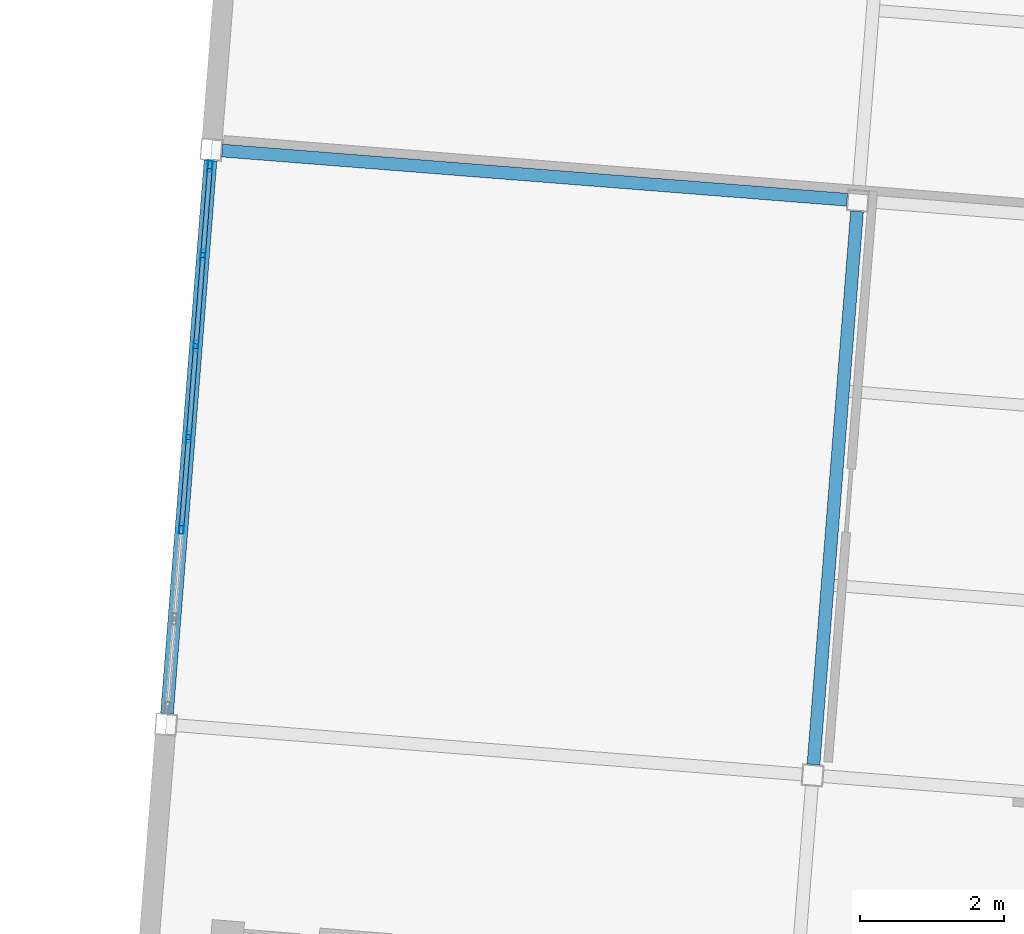
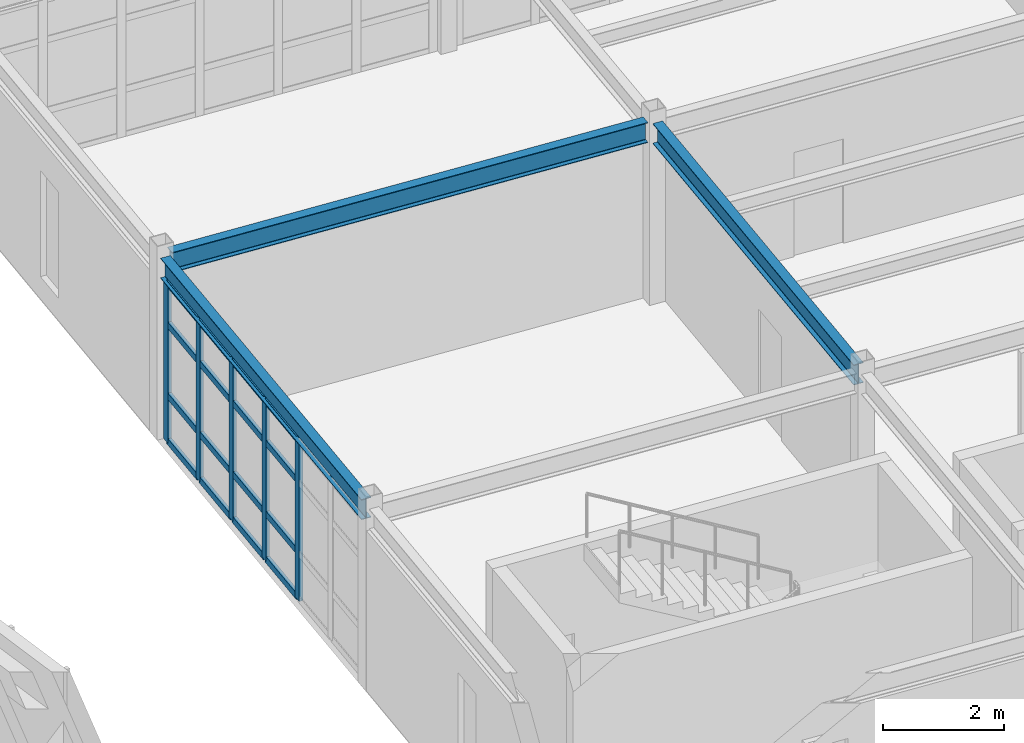
# One storey, part 49 of 150: 21 members, 3 beams, 1 element without a shape of its own.
"""IFC4 building model written with IfcOpenShell, lengths in metres."""

from ifc_helpers import new_model, si_unit, direction, frame, origin, origin_2d, place, context, subcontext, project, spatial, hollow_rectangle, i_section, extrude, material, material_profile, profile_set, type_object, element, aggregate, save


model = new_model("IFC4")

# Units and contexts
model_context = context("Model", 3, precision=1e-05, world=origin(), true_north=direction((0.0, 1.0)))
body_context = subcontext(model_context, "Body", "Model", "MODEL_VIEW")
ifc_project = project(units=[si_unit("LENGTHUNIT", "METRE"), si_unit("AREAUNIT", "SQUARE_METRE"), si_unit("VOLUMEUNIT", "CUBIC_METRE"), si_unit("PLANEANGLEUNIT", "RADIAN"), si_unit("MASSUNIT", "GRAM", prefix="KILO")], contexts=[model_context])

# Site, building, storey
site_placement = place(None, origin())
site = spatial("IfcSite", under=ifc_project, at=site_placement, CompositionType="ELEMENT")
building_placement = place(site_placement, origin())
building = spatial("IfcBuilding", under=site, at=building_placement, Name="Kestramere Prow Commons", CompositionType="ELEMENT")
storey_placement = place(building_placement, frame((0.0, 0.0, 4.5)))
storey = spatial("IfcBuildingStorey", under=building, at=storey_placement, Name="L01", CompositionType="ELEMENT", Elevation=4.5)

# Beams
ifc_material_1 = material(Name="Steel S355JR", Category="steel")
ifc_material_profile_1 = material_profile(ifc_material_1, i_section(OverallWidth=0.177978515625, OverallDepth=0.406494140625, WebThickness=0.0078125, FlangeThickness=0.0126953125, FilletRadius=0.01025390625, at=origin_2d()), Name="UB 406x178x60")
ifc_profile_set_1 = profile_set([ifc_material_profile_1], Name="Steel S355JR")
beam_type_1 = type_object("IfcBeamType", Name="BM-NR-01 UB 406x178x60", PredefinedType="BEAM", material=ifc_profile_set_1)
beam_1_placement = place(storey_placement, frame((70.0048828125, 101.43896484375, 3.44677734375), z_axis=(0.996917066238, -0.078462494502, 0.0), x_axis=(0.078462494502, 0.996917066238, 0.0)))
element("IfcBeam", 1, at=beam_1_placement, inside=storey, type_object=beam_type_1, Name="Nursery L01 Beam U 3-1", PredefinedType="BEAM", context=body_context, shape_type="SweptSolid", body=[
    extrude(i_section(OverallWidth=0.177978515625, OverallDepth=0.406494140625, WebThickness=0.0078125, FlangeThickness=0.0126953125, FilletRadius=0.01025390625, at=origin_2d()), origin(), (0.0, 0.0, 1.0), 8.699951171875),
])
beam_2_placement = place(storey_placement, frame((78.211669921875, 92.918701171875, 3.44677734375), z_axis=(0.078473620365, 0.996916190513, 0.0), x_axis=(-0.996916190513, 0.078473620365, 0.0)))
element("IfcBeam", 2, at=beam_2_placement, inside=storey, type_object=beam_type_1, Name="Nursery L01 Beam V 2-2", PredefinedType="BEAM", context=body_context, shape_type="SweptSolid", body=[
    extrude(i_section(OverallWidth=0.177978515625, OverallDepth=0.406494140625, WebThickness=0.0078125, FlangeThickness=0.0126953125, FilletRadius=0.01025390625, at=origin_2d()), origin(), (0.0, 0.0, 1.0), 7.699951171875),
])
ifc_material_profile_2 = material_profile(ifc_material_1, i_section(OverallWidth=0.177978515625, OverallDepth=0.406494140625, WebThickness=0.0078125, FlangeThickness=0.0126953125, FilletRadius=0.01025390625, at=origin_2d()), Name="UB 406x178x60")
ifc_profile_set_2 = profile_set([ifc_material_profile_2], Name="Steel S355JR")
beam_type_2 = type_object("IfcBeamType", Name="BM-NR-01 UB 406x178x60 (EX)", PredefinedType="BEAM", material=ifc_profile_set_2)
beam_3_placement = place(storey_placement, frame((69.239501953125, 93.624755859375, 3.44677734375), z_axis=(0.078442108986, 0.996918670473, 0.0), x_axis=(-0.996918670473, 0.078442108986, 0.0)))
element("IfcBeam", 3, at=beam_3_placement, inside=storey, type_object=beam_type_2, Name="Nursery L01 Beam V 1-2", PredefinedType="BEAM", context=body_context, shape_type="SweptSolid", body=[
    extrude(i_section(OverallWidth=0.177978515625, OverallDepth=0.406494140625, WebThickness=0.0078125, FlangeThickness=0.0126953125, FilletRadius=0.01025390625, at=origin_2d()), origin(), (0.0, 0.0, 1.0), 7.699951171875),
])

# Curtain wall, members
ifc_material_2 = material(Name="Anodised Aluminium and Low-E Glass", Category="aluminium")
curtain_wall_type = type_object("IfcCurtainWallType", Name="CW-16 Glazed Curtain Wall 7600x3230", PredefinedType="USERDEFINED", material=ifc_material_2)
curtain_wall_placement = place(storey_placement, origin())
curtain_wall = element("IfcCurtainWall", 4, at=curtain_wall_placement, inside=storey, type_object=curtain_wall_type, Name="Nursery L01 W End Glazing", ObjectType="GLAZED CURTAIN WALL", PredefinedType="USERDEFINED")
ifc_material_3 = material(Name="Anodised Aluminium 6063-T6", Category="aluminium")
ifc_material_profile_3 = material_profile(ifc_material_3, hollow_rectangle(XDim=0.06494140625, YDim=0.159912109375, WallThickness=0.00390625, at=origin_2d()), Name="ALU-MUL 65x160")
ifc_profile_set_3 = profile_set([ifc_material_profile_3], Name="Anodised Aluminium 6063-T6")
member_type_1 = type_object("IfcMemberType", Name="CW-MUL-65x160", PredefinedType="MULLION", material=ifc_profile_set_3)
member_1_placement = place(storey_placement, frame((69.442138671875, 96.2001953125, 0.0), z_axis=(0.0, 0.0, 1.0), x_axis=(-0.996917335259, 0.078459076345, 0.0)))
member_1 = element("IfcMember", 5, at=member_1_placement, type_object=member_type_1, Name="CW-16 mullion 3", PredefinedType="MULLION", context=body_context, shape_type="SweptSolid", body=[
    extrude(hollow_rectangle(XDim=0.06494140625, YDim=0.159912109375, WallThickness=0.00390625, at=origin_2d()), origin(), (0.0, 0.0, 1.0), 3.22998046875),
])
member_2_placement = place(storey_placement, frame((69.54150390625, 97.462890625, 0.0), z_axis=(0.0, 0.0, 1.0), x_axis=(-0.996917335259, 0.078459076345, 0.0)))
member_2 = element("IfcMember", 6, at=member_2_placement, type_object=member_type_1, Name="CW-16 mullion 4", PredefinedType="MULLION", context=body_context, shape_type="SweptSolid", body=[
    extrude(hollow_rectangle(XDim=0.06494140625, YDim=0.159912109375, WallThickness=0.00390625, at=origin_2d()), origin(), (0.0, 0.0, 1.0), 3.22998046875),
])
member_3_placement = place(storey_placement, frame((69.640869140625, 98.725830078125, 0.0), z_axis=(0.0, 0.0, 1.0), x_axis=(-0.996917335259, 0.078459076345, 0.0)))
member_3 = element("IfcMember", 7, at=member_3_placement, type_object=member_type_1, Name="CW-16 mullion 5", PredefinedType="MULLION", context=body_context, shape_type="SweptSolid", body=[
    extrude(hollow_rectangle(XDim=0.06494140625, YDim=0.159912109375, WallThickness=0.00390625, at=origin_2d()), origin(), (0.0, 0.0, 1.0), 3.22998046875),
])
member_4_placement = place(storey_placement, frame((69.740234375, 99.988525390625, 0.0), z_axis=(0.0, 0.0, 1.0), x_axis=(-0.996917335259, 0.078459076345, 0.0)))
member_4 = element("IfcMember", 8, at=member_4_placement, type_object=member_type_1, Name="CW-16 mullion 6", PredefinedType="MULLION", context=body_context, shape_type="SweptSolid", body=[
    extrude(hollow_rectangle(XDim=0.06494140625, YDim=0.159912109375, WallThickness=0.00390625, at=origin_2d()), origin(), (0.0, 0.0, 1.0), 3.22998046875),
])
member_5_placement = place(storey_placement, frame((69.837158203125, 101.218994140625, 0.0), z_axis=(0.0, 0.0, 1.0), x_axis=(-0.996917335259, 0.078459076345, 0.0)))
member_5 = element("IfcMember", 9, at=member_5_placement, type_object=member_type_1, Name="CW-16 mullion 7", PredefinedType="MULLION", context=body_context, shape_type="SweptSolid", body=[
    extrude(hollow_rectangle(XDim=0.06494140625, YDim=0.159912109375, WallThickness=0.00390625, at=origin_2d()), origin(), (0.0, 0.0, 1.0), 3.22998046875),
])
ifc_material_profile_4 = material_profile(ifc_material_3, hollow_rectangle(XDim=0.06494140625, YDim=0.1298828125, WallThickness=0.00390625, at=origin_2d()), Name="ALU-TRN 65x130")
ifc_profile_set_4 = profile_set([ifc_material_profile_4], Name="Anodised Aluminium 6063-T6")
member_type_2 = type_object("IfcMemberType", Name="CW-TRN-65x130", PredefinedType="USERDEFINED", material=ifc_profile_set_4)
member_6_placement = place(storey_placement, frame((69.444580078125, 96.232666015625, 0.032470703125), z_axis=(0.078622787299, 0.996904437405, 0.0), x_axis=(-0.996904437405, 0.078622787299, 0.0)))
member_6 = element("IfcMember", 10, at=member_6_placement, type_object=member_type_2, Name="CW-16 transom 3.1", ObjectType="TRANSOM", PredefinedType="USERDEFINED", context=body_context, shape_type="SweptSolid", body=[
    extrude(hollow_rectangle(XDim=0.06494140625, YDim=0.1298828125, WallThickness=0.00390625, at=origin_2d()), origin(), (0.0, 0.0, 1.0), 1.20166015625),
])
member_7_placement = place(storey_placement, frame((69.444580078125, 96.232666015625, 0.949951171875), z_axis=(0.078622787299, 0.996904437405, 0.0), x_axis=(-0.996904437405, 0.078622787299, 0.0)))
member_7 = element("IfcMember", 11, at=member_7_placement, type_object=member_type_2, Name="CW-16 transom 3.2", ObjectType="TRANSOM", PredefinedType="USERDEFINED", context=body_context, shape_type="SweptSolid", body=[
    extrude(hollow_rectangle(XDim=0.06494140625, YDim=0.1298828125, WallThickness=0.00390625, at=origin_2d()), origin(), (0.0, 0.0, 1.0), 1.20166015625),
])
member_8_placement = place(storey_placement, frame((69.444580078125, 96.232666015625, 2.3798828125), z_axis=(0.078622787299, 0.996904437405, 0.0), x_axis=(-0.996904437405, 0.078622787299, 0.0)))
member_8 = element("IfcMember", 12, at=member_8_placement, type_object=member_type_2, Name="CW-16 transom 3.3", ObjectType="TRANSOM", PredefinedType="USERDEFINED", context=body_context, shape_type="SweptSolid", body=[
    extrude(hollow_rectangle(XDim=0.06494140625, YDim=0.1298828125, WallThickness=0.00390625, at=origin_2d()), origin(), (0.0, 0.0, 1.0), 1.20166015625),
])
member_9_placement = place(storey_placement, frame((69.444580078125, 96.232666015625, 3.197509765625), z_axis=(0.078622787299, 0.996904437405, 0.0), x_axis=(-0.996904437405, 0.078622787299, 0.0)))
member_9 = element("IfcMember", 13, at=member_9_placement, type_object=member_type_2, Name="CW-16 transom 3.4", ObjectType="TRANSOM", PredefinedType="USERDEFINED", context=body_context, shape_type="SweptSolid", body=[
    extrude(hollow_rectangle(XDim=0.06494140625, YDim=0.1298828125, WallThickness=0.00390625, at=origin_2d()), origin(), (0.0, 0.0, 1.0), 1.20166015625),
])
member_10_placement = place(storey_placement, frame((69.5439453125, 97.495361328125, 0.032470703125), z_axis=(0.078622787299, 0.996904437405, 0.0), x_axis=(-0.996904437405, 0.078622787299, 0.0)))
member_10 = element("IfcMember", 14, at=member_10_placement, type_object=member_type_2, Name="CW-16 transom 4.1", ObjectType="TRANSOM", PredefinedType="USERDEFINED", context=body_context, shape_type="SweptSolid", body=[
    extrude(hollow_rectangle(XDim=0.06494140625, YDim=0.1298828125, WallThickness=0.00390625, at=origin_2d()), origin(), (0.0, 0.0, 1.0), 1.20166015625),
])
member_11_placement = place(storey_placement, frame((69.5439453125, 97.495361328125, 0.949951171875), z_axis=(0.078622787299, 0.996904437405, 0.0), x_axis=(-0.996904437405, 0.078622787299, 0.0)))
member_11 = element("IfcMember", 15, at=member_11_placement, type_object=member_type_2, Name="CW-16 transom 4.2", ObjectType="TRANSOM", PredefinedType="USERDEFINED", context=body_context, shape_type="SweptSolid", body=[
    extrude(hollow_rectangle(XDim=0.06494140625, YDim=0.1298828125, WallThickness=0.00390625, at=origin_2d()), origin(), (0.0, 0.0, 1.0), 1.20166015625),
])
member_12_placement = place(storey_placement, frame((69.5439453125, 97.495361328125, 2.3798828125), z_axis=(0.078622787299, 0.996904437405, 0.0), x_axis=(-0.996904437405, 0.078622787299, 0.0)))
member_12 = element("IfcMember", 16, at=member_12_placement, type_object=member_type_2, Name="CW-16 transom 4.3", ObjectType="TRANSOM", PredefinedType="USERDEFINED", context=body_context, shape_type="SweptSolid", body=[
    extrude(hollow_rectangle(XDim=0.06494140625, YDim=0.1298828125, WallThickness=0.00390625, at=origin_2d()), origin(), (0.0, 0.0, 1.0), 1.20166015625),
])
member_13_placement = place(storey_placement, frame((69.5439453125, 97.495361328125, 3.197509765625), z_axis=(0.078622787299, 0.996904437405, 0.0), x_axis=(-0.996904437405, 0.078622787299, 0.0)))
member_13 = element("IfcMember", 17, at=member_13_placement, type_object=member_type_2, Name="CW-16 transom 4.4", ObjectType="TRANSOM", PredefinedType="USERDEFINED", context=body_context, shape_type="SweptSolid", body=[
    extrude(hollow_rectangle(XDim=0.06494140625, YDim=0.1298828125, WallThickness=0.00390625, at=origin_2d()), origin(), (0.0, 0.0, 1.0), 1.20166015625),
])
member_14_placement = place(storey_placement, frame((69.6435546875, 98.758056640625, 0.032470703125), z_axis=(0.078420878648, 0.996920340745, 0.0), x_axis=(-0.996920340745, 0.078420878648, 0.0)))
member_14 = element("IfcMember", 18, at=member_14_placement, type_object=member_type_2, Name="CW-16 transom 5.1", ObjectType="TRANSOM", PredefinedType="USERDEFINED", context=body_context, shape_type="SweptSolid", body=[
    extrude(hollow_rectangle(XDim=0.06494140625, YDim=0.1298828125, WallThickness=0.00390625, at=origin_2d()), origin(), (0.0, 0.0, 1.0), 1.20166015625),
])
member_15_placement = place(storey_placement, frame((69.6435546875, 98.758056640625, 0.949951171875), z_axis=(0.078420878648, 0.996920340745, 0.0), x_axis=(-0.996920340745, 0.078420878648, 0.0)))
member_15 = element("IfcMember", 19, at=member_15_placement, type_object=member_type_2, Name="CW-16 transom 5.2", ObjectType="TRANSOM", PredefinedType="USERDEFINED", context=body_context, shape_type="SweptSolid", body=[
    extrude(hollow_rectangle(XDim=0.06494140625, YDim=0.1298828125, WallThickness=0.00390625, at=origin_2d()), origin(), (0.0, 0.0, 1.0), 1.20166015625),
])
member_16_placement = place(storey_placement, frame((69.6435546875, 98.758056640625, 2.3798828125), z_axis=(0.078420878648, 0.996920340745, 0.0), x_axis=(-0.996920340745, 0.078420878648, 0.0)))
member_16 = element("IfcMember", 20, at=member_16_placement, type_object=member_type_2, Name="CW-16 transom 5.3", ObjectType="TRANSOM", PredefinedType="USERDEFINED", context=body_context, shape_type="SweptSolid", body=[
    extrude(hollow_rectangle(XDim=0.06494140625, YDim=0.1298828125, WallThickness=0.00390625, at=origin_2d()), origin(), (0.0, 0.0, 1.0), 1.20166015625),
])
member_17_placement = place(storey_placement, frame((69.6435546875, 98.758056640625, 3.197509765625), z_axis=(0.078420878648, 0.996920340745, 0.0), x_axis=(-0.996920340745, 0.078420878648, 0.0)))
member_17 = element("IfcMember", 21, at=member_17_placement, type_object=member_type_2, Name="CW-16 transom 5.4", ObjectType="TRANSOM", PredefinedType="USERDEFINED", context=body_context, shape_type="SweptSolid", body=[
    extrude(hollow_rectangle(XDim=0.06494140625, YDim=0.1298828125, WallThickness=0.00390625, at=origin_2d()), origin(), (0.0, 0.0, 1.0), 1.20166015625),
])
member_18_placement = place(storey_placement, frame((69.742919921875, 100.02099609375, 0.032470703125), z_axis=(0.078309262245, 0.996929114555, 0.0), x_axis=(-0.996929114555, 0.078309262245, 0.0)))
member_18 = element("IfcMember", 22, at=member_18_placement, type_object=member_type_2, Name="CW-16 transom 6.1", ObjectType="TRANSOM", PredefinedType="USERDEFINED", context=body_context, shape_type="SweptSolid", body=[
    extrude(hollow_rectangle(XDim=0.06494140625, YDim=0.1298828125, WallThickness=0.00390625, at=origin_2d()), origin(), (0.0, 0.0, 1.0), 1.169189453125),
])
member_19_placement = place(storey_placement, frame((69.742919921875, 100.02099609375, 0.949951171875), z_axis=(0.078309262245, 0.996929114555, 0.0), x_axis=(-0.996929114555, 0.078309262245, 0.0)))
member_19 = element("IfcMember", 23, at=member_19_placement, type_object=member_type_2, Name="CW-16 transom 6.2", ObjectType="TRANSOM", PredefinedType="USERDEFINED", context=body_context, shape_type="SweptSolid", body=[
    extrude(hollow_rectangle(XDim=0.06494140625, YDim=0.1298828125, WallThickness=0.00390625, at=origin_2d()), origin(), (0.0, 0.0, 1.0), 1.169189453125),
])
member_20_placement = place(storey_placement, frame((69.742919921875, 100.02099609375, 2.3798828125), z_axis=(0.078309262245, 0.996929114555, 0.0), x_axis=(-0.996929114555, 0.078309262245, 0.0)))
member_20 = element("IfcMember", 24, at=member_20_placement, type_object=member_type_2, Name="CW-16 transom 6.3", ObjectType="TRANSOM", PredefinedType="USERDEFINED", context=body_context, shape_type="SweptSolid", body=[
    extrude(hollow_rectangle(XDim=0.06494140625, YDim=0.1298828125, WallThickness=0.00390625, at=origin_2d()), origin(), (0.0, 0.0, 1.0), 1.169189453125),
])
member_21_placement = place(storey_placement, frame((69.742919921875, 100.02099609375, 3.197509765625), z_axis=(0.078309262245, 0.996929114555, 0.0), x_axis=(-0.996929114555, 0.078309262245, 0.0)))
member_21 = element("IfcMember", 25, at=member_21_placement, type_object=member_type_2, Name="CW-16 transom 6.4", ObjectType="TRANSOM", PredefinedType="USERDEFINED", context=body_context, shape_type="SweptSolid", body=[
    extrude(hollow_rectangle(XDim=0.06494140625, YDim=0.1298828125, WallThickness=0.00390625, at=origin_2d()), origin(), (0.0, 0.0, 1.0), 1.169189453125),
])
aggregate(curtain_wall, [member_1, member_2, member_3, member_4, member_5, member_6, member_7, member_8, member_9, member_10, member_11, member_12, member_13, member_14, member_15, member_16, member_17, member_18, member_19, member_20, member_21])

save(model, "model.ifc")
